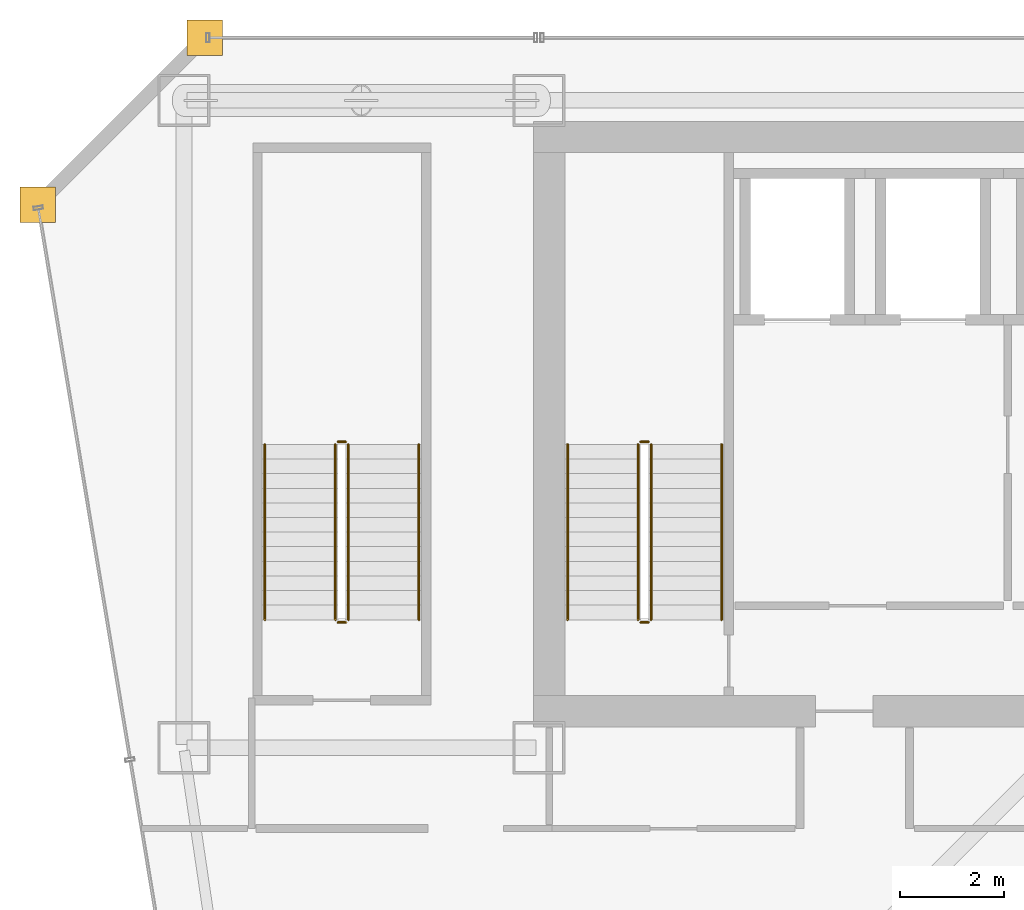
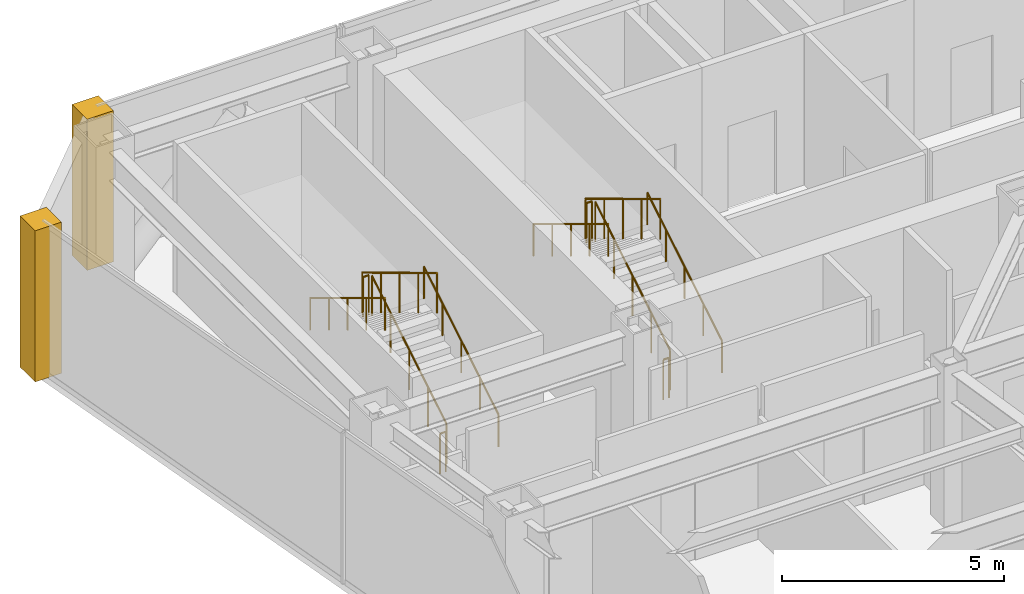
# One storey, part 36 of 37: 12 railings, 2 coverings.
"""IFC4 building model written with IfcOpenShell, lengths in metres."""

from ifc_helpers import new_model, si_unit, direction, frame, origin, origin_2d, place, context, subcontext, project, spatial, polyline, circle, outline, extrude, material, layer, layer_set, type_object, element, save


model = new_model("IFC4")

# Units and contexts
model_context = context("Model", 3, precision=1e-05, world=origin(), true_north=direction((0.0, 1.0)))
body_context = subcontext(model_context, "Body", "Model", "MODEL_VIEW")
ifc_project = project(units=[si_unit("LENGTHUNIT", "METRE"), si_unit("AREAUNIT", "SQUARE_METRE"), si_unit("VOLUMEUNIT", "CUBIC_METRE"), si_unit("PLANEANGLEUNIT", "RADIAN"), si_unit("MASSUNIT", "GRAM", prefix="KILO")], contexts=[model_context])

# Site, building, storey
site_placement = place(None, origin())
site = spatial("IfcSite", under=ifc_project, at=site_placement, CompositionType="ELEMENT")
building_placement = place(site_placement, origin())
building = spatial("IfcBuilding", under=site, at=building_placement, Name="Saevonmaru Cultural Tower", CompositionType="ELEMENT")
storey_placement = place(building_placement, frame((0.0, 0.0, 114.800048828125)))
storey = spatial("IfcBuildingStorey", under=building, at=storey_placement, Name="L24", CompositionType="ELEMENT", Elevation=114.800048828125)

# Coverings
ifc_material_1 = material(Name="Satin Bronze Anodised Aluminium", Category="aluminium")
ifc_layer = layer(ifc_material_1, 0.679931640625, Name="Satin Bronze Anodised Aluminium")
ifc_layer_set = layer_set([ifc_layer], Name="Satin Bronze Anodised Aluminium")
covering_type = type_object("IfcCoveringType", Name="CV-CORNER-CLAD", PredefinedType="CLADDING", material=ifc_layer_set)
covering_1_placement = place(storey_placement, origin())
element("IfcCovering", 1, at=covering_1_placement, inside=storey, type_object=covering_type, Name="L24 Tower Bronze Corner Cladding Pier 11", PredefinedType="CLADDING", context=body_context, shape_type="SweptSolid", body=[
    extrude(outline(polyline([(6.860107421875, 55.659912109375), (7.5400390625, 55.659912109375), (7.5400390625, 56.340087890625), (6.860107421875, 56.340087890625), (6.860107421875, 55.659912109375)])), origin(), (0.0, 0.0, 1.0), 4.14990234375),
])
covering_2_placement = place(storey_placement, origin())
element("IfcCovering", 2, at=covering_2_placement, inside=storey, type_object=covering_type, Name="L24 Tower Bronze Corner Cladding Pier 12", PredefinedType="CLADDING", context=body_context, shape_type="SweptSolid", body=[
    extrude(outline(polyline([(3.659912109375, 52.4599609375), (4.340087890625, 52.4599609375), (4.340087890625, 53.139892578125), (3.659912109375, 53.139892578125), (3.659912109375, 52.4599609375)])), origin(), (0.0, 0.0, 1.0), 4.14990234375),
])

# Railings
ifc_material_2 = material(Name="Architectural Painted Steel", Category="steel")
railing_type_1 = type_object("IfcRailingType", Name="RL-STAIR-GUARD", PredefinedType="GUARDRAIL", material=ifc_material_2)
railing_1_placement = place(storey_placement, frame((15.75, 44.85009765625, 0.169189453125)))
element("IfcRailing", 3, at=railing_1_placement, inside=storey, type_object=railing_type_1, Name="L24 ST-1 stair guard 1", PredefinedType="GUARDRAIL", context=body_context, shape_type="SweptSolid", body=[
    extrude(circle(Radius=0.02392578125, at=origin_2d()), frame((0.0, 0.0, 1.09619140625), z_axis=(0.0, 0.855820338506, 0.51727318527), x_axis=(-1.0, 0.0, 0.0)), (0.0, 0.0, 1.0), 3.92578125),
    extrude(circle(Radius=0.02099609375, at=origin_2d()), origin(), (0.0, 0.0, 1.0), 1.072021484375),
    extrude(circle(Radius=0.02099609375, at=origin_2d()), frame((0.0, 0.83984375, 0.5078125)), (0.0, 0.0, 1.0), 1.072021484375),
    extrude(circle(Radius=0.02099609375, at=origin_2d()), frame((0.0, 1.679931640625, 1.015380859375)), (0.0, 0.0, 1.0), 1.072021484375),
    extrude(circle(Radius=0.02099609375, at=origin_2d()), frame((0.0, 2.52001953125, 1.52294921875)), (0.0, 0.0, 1.0), 1.072021484375),
    extrude(circle(Radius=0.02099609375, at=origin_2d()), frame((0.0, 3.35986328125, 2.03076171875)), (0.0, 0.0, 1.0), 1.072021484375),
])
railing_2_placement = place(storey_placement, frame((15.699951171875, 48.260009765625, 2.199951171875)))
element("IfcRailing", 4, at=railing_2_placement, inside=storey, type_object=railing_type_1, Name="L24 ST-1 stair guard 2", PredefinedType="GUARDRAIL", context=body_context, shape_type="SweptSolid", body=[
    extrude(circle(Radius=0.02392578125, at=origin_2d()), frame((0.0, 0.0, 1.09619140625), z_axis=(-1.0, 0.0, 0.0), x_axis=(0.0, -1.0, 0.0)), (0.0, 0.0, 1.0), 0.14990234375),
    extrude(circle(Radius=0.02099609375, at=origin_2d()), origin(), (0.0, 0.0, 1.0), 1.072021484375),
    extrude(circle(Radius=0.02099609375, at=origin_2d()), frame((-0.14990234375, 0.0, 0.0)), (0.0, 0.0, 1.0), 1.072021484375),
])
railing_3_placement = place(storey_placement, frame((15.5, 48.2099609375, 2.369140625)))
element("IfcRailing", 5, at=railing_3_placement, inside=storey, type_object=railing_type_1, Name="L24 ST-1 stair guard 3", PredefinedType="GUARDRAIL", context=body_context, shape_type="SweptSolid", body=[
    extrude(circle(Radius=0.02392578125, at=origin_2d()), frame((0.0, 0.0, 1.09619140625), z_axis=(0.0, -0.855820338506, 0.51727318527), x_axis=(1.0, 0.0, 0.0)), (0.0, 0.0, 1.0), 3.92578125),
    extrude(circle(Radius=0.02099609375, at=origin_2d()), origin(), (0.0, 0.0, 1.0), 1.072021484375),
    extrude(circle(Radius=0.02099609375, at=origin_2d()), frame((0.0, -0.83984375, 0.5078125)), (0.0, 0.0, 1.0), 1.072021484375),
    extrude(circle(Radius=0.02099609375, at=origin_2d()), frame((0.0, -1.679931640625, 1.015380859375)), (0.0, 0.0, 1.0), 1.072021484375),
    extrude(circle(Radius=0.02099609375, at=origin_2d()), frame((0.0, -2.52001953125, 1.52294921875)), (0.0, 0.0, 1.0), 1.072021484375),
    extrude(circle(Radius=0.02099609375, at=origin_2d()), frame((0.0, -3.35986328125, 2.03076171875)), (0.0, 0.0, 1.0), 1.072021484375),
])
railing_4_placement = place(storey_placement, frame((15.699951171875, 44.800048828125, 0.0)))
element("IfcRailing", 6, at=railing_4_placement, inside=storey, type_object=railing_type_1, Name="L24 ST-1 stair guard 4", PredefinedType="GUARDRAIL", context=body_context, shape_type="SweptSolid", body=[
    extrude(circle(Radius=0.02392578125, at=origin_2d()), frame((0.0, 0.0, 1.09619140625), z_axis=(-1.0, 0.0, 0.0), x_axis=(0.0, -1.0, 0.0)), (0.0, 0.0, 1.0), 0.14990234375),
    extrude(circle(Radius=0.02099609375, at=origin_2d()), origin(), (0.0, 0.0, 1.0), 1.072021484375),
    extrude(circle(Radius=0.02099609375, at=origin_2d()), frame((-0.14990234375, 0.0, 0.0)), (0.0, 0.0, 1.0), 1.072021484375),
])
railing_5_placement = place(storey_placement, frame((9.949951171875, 44.85009765625, 0.169189453125)))
element("IfcRailing", 7, at=railing_5_placement, inside=storey, type_object=railing_type_1, Name="L24 ST-3 stair guard 1", PredefinedType="GUARDRAIL", context=body_context, shape_type="SweptSolid", body=[
    extrude(circle(Radius=0.02392578125, at=origin_2d()), frame((0.0, 0.0, 1.09619140625), z_axis=(0.0, 0.855820338506, 0.51727318527), x_axis=(-1.0, 0.0, 0.0)), (0.0, 0.0, 1.0), 3.92578125),
    extrude(circle(Radius=0.02099609375, at=origin_2d()), origin(), (0.0, 0.0, 1.0), 1.072021484375),
    extrude(circle(Radius=0.02099609375, at=origin_2d()), frame((0.0, 0.83984375, 0.5078125)), (0.0, 0.0, 1.0), 1.072021484375),
    extrude(circle(Radius=0.02099609375, at=origin_2d()), frame((0.0, 1.679931640625, 1.015380859375)), (0.0, 0.0, 1.0), 1.072021484375),
    extrude(circle(Radius=0.02099609375, at=origin_2d()), frame((0.0, 2.52001953125, 1.52294921875)), (0.0, 0.0, 1.0), 1.072021484375),
    extrude(circle(Radius=0.02099609375, at=origin_2d()), frame((0.0, 3.35986328125, 2.03076171875)), (0.0, 0.0, 1.0), 1.072021484375),
])
railing_6_placement = place(storey_placement, frame((9.89990234375, 48.260009765625, 2.199951171875)))
element("IfcRailing", 8, at=railing_6_placement, inside=storey, type_object=railing_type_1, Name="L24 ST-3 stair guard 2", PredefinedType="GUARDRAIL", context=body_context, shape_type="SweptSolid", body=[
    extrude(circle(Radius=0.02392578125, at=origin_2d()), frame((0.0, 0.0, 1.09619140625), z_axis=(-1.0, 0.0, 0.0), x_axis=(0.0, -1.0, 0.0)), (0.0, 0.0, 1.0), 0.14990234375),
    extrude(circle(Radius=0.02099609375, at=origin_2d()), origin(), (0.0, 0.0, 1.0), 1.072021484375),
    extrude(circle(Radius=0.02099609375, at=origin_2d()), frame((-0.14990234375, 0.0, 0.0)), (0.0, 0.0, 1.0), 1.072021484375),
])
railing_7_placement = place(storey_placement, frame((9.699951171875, 48.2099609375, 2.369140625)))
element("IfcRailing", 9, at=railing_7_placement, inside=storey, type_object=railing_type_1, Name="L24 ST-3 stair guard 3", PredefinedType="GUARDRAIL", context=body_context, shape_type="SweptSolid", body=[
    extrude(circle(Radius=0.02392578125, at=origin_2d()), frame((0.0, 0.0, 1.09619140625), z_axis=(0.0, -0.855820338506, 0.51727318527), x_axis=(1.0, 0.0, 0.0)), (0.0, 0.0, 1.0), 3.92578125),
    extrude(circle(Radius=0.02099609375, at=origin_2d()), origin(), (0.0, 0.0, 1.0), 1.072021484375),
    extrude(circle(Radius=0.02099609375, at=origin_2d()), frame((0.0, -0.83984375, 0.5078125)), (0.0, 0.0, 1.0), 1.072021484375),
    extrude(circle(Radius=0.02099609375, at=origin_2d()), frame((0.0, -1.679931640625, 1.015380859375)), (0.0, 0.0, 1.0), 1.072021484375),
    extrude(circle(Radius=0.02099609375, at=origin_2d()), frame((0.0, -2.52001953125, 1.52294921875)), (0.0, 0.0, 1.0), 1.072021484375),
    extrude(circle(Radius=0.02099609375, at=origin_2d()), frame((0.0, -3.35986328125, 2.03076171875)), (0.0, 0.0, 1.0), 1.072021484375),
])
railing_8_placement = place(storey_placement, frame((9.89990234375, 44.800048828125, 0.0)))
element("IfcRailing", 10, at=railing_8_placement, inside=storey, type_object=railing_type_1, Name="L24 ST-3 stair guard 4", PredefinedType="GUARDRAIL", context=body_context, shape_type="SweptSolid", body=[
    extrude(circle(Radius=0.02392578125, at=origin_2d()), frame((0.0, 0.0, 1.09619140625), z_axis=(-1.0, 0.0, 0.0), x_axis=(0.0, -1.0, 0.0)), (0.0, 0.0, 1.0), 0.14990234375),
    extrude(circle(Radius=0.02099609375, at=origin_2d()), origin(), (0.0, 0.0, 1.0), 1.072021484375),
    extrude(circle(Radius=0.02099609375, at=origin_2d()), frame((-0.14990234375, 0.0, 0.0)), (0.0, 0.0, 1.0), 1.072021484375),
])
railing_type_2 = type_object("IfcRailingType", Name="RL-STAIR-HANDRAIL", PredefinedType="HANDRAIL", material=ifc_material_1)
railing_9_placement = place(storey_placement, frame((17.10009765625, 44.85009765625, 0.169189453125)))
element("IfcRailing", 11, at=railing_9_placement, inside=storey, type_object=railing_type_2, Name="L24 ST-1 stair handrail 1", PredefinedType="HANDRAIL", context=body_context, shape_type="SweptSolid", body=[
    extrude(circle(Radius=0.02392578125, at=origin_2d()), frame((0.0, 0.0, 0.8759765625), z_axis=(0.0, 0.855820338506, 0.51727318527), x_axis=(-1.0, 0.0, 0.0)), (0.0, 0.0, 1.0), 3.92578125),
    extrude(circle(Radius=0.02099609375, at=origin_2d()), origin(), (0.0, 0.0, 1.0), 0.851806640625),
    extrude(circle(Radius=0.02099609375, at=origin_2d()), frame((0.0, 0.83984375, 0.5078125)), (0.0, 0.0, 1.0), 0.851806640625),
    extrude(circle(Radius=0.02099609375, at=origin_2d()), frame((0.0, 1.679931640625, 1.015380859375)), (0.0, 0.0, 1.0), 0.851806640625),
    extrude(circle(Radius=0.02099609375, at=origin_2d()), frame((0.0, 2.52001953125, 1.52294921875)), (0.0, 0.0, 1.0), 0.851806640625),
    extrude(circle(Radius=0.02099609375, at=origin_2d()), frame((0.0, 3.35986328125, 2.03076171875)), (0.0, 0.0, 1.0), 0.851806640625),
])
railing_10_placement = place(storey_placement, frame((14.14990234375, 48.2099609375, 2.369140625)))
element("IfcRailing", 12, at=railing_10_placement, inside=storey, type_object=railing_type_2, Name="L24 ST-1 stair handrail 2", PredefinedType="HANDRAIL", context=body_context, shape_type="SweptSolid", body=[
    extrude(circle(Radius=0.02392578125, at=origin_2d()), frame((0.0, 0.0, 0.8759765625), z_axis=(0.0, -0.855820338506, 0.51727318527), x_axis=(1.0, 0.0, 0.0)), (0.0, 0.0, 1.0), 3.92578125),
    extrude(circle(Radius=0.02099609375, at=origin_2d()), origin(), (0.0, 0.0, 1.0), 0.851806640625),
    extrude(circle(Radius=0.02099609375, at=origin_2d()), frame((0.0, -0.83984375, 0.5078125)), (0.0, 0.0, 1.0), 0.851806640625),
    extrude(circle(Radius=0.02099609375, at=origin_2d()), frame((0.0, -1.679931640625, 1.015380859375)), (0.0, 0.0, 1.0), 0.851806640625),
    extrude(circle(Radius=0.02099609375, at=origin_2d()), frame((0.0, -2.52001953125, 1.52294921875)), (0.0, 0.0, 1.0), 0.851806640625),
    extrude(circle(Radius=0.02099609375, at=origin_2d()), frame((0.0, -3.35986328125, 2.03076171875)), (0.0, 0.0, 1.0), 0.851806640625),
])
railing_11_placement = place(storey_placement, frame((11.300048828125, 44.85009765625, 0.169189453125)))
element("IfcRailing", 13, at=railing_11_placement, inside=storey, type_object=railing_type_2, Name="L24 ST-3 stair handrail 1", PredefinedType="HANDRAIL", context=body_context, shape_type="SweptSolid", body=[
    extrude(circle(Radius=0.02392578125, at=origin_2d()), frame((0.0, 0.0, 0.8759765625), z_axis=(0.0, 0.855820338506, 0.51727318527), x_axis=(-1.0, 0.0, 0.0)), (0.0, 0.0, 1.0), 3.92578125),
    extrude(circle(Radius=0.02099609375, at=origin_2d()), origin(), (0.0, 0.0, 1.0), 0.851806640625),
    extrude(circle(Radius=0.02099609375, at=origin_2d()), frame((0.0, 0.83984375, 0.5078125)), (0.0, 0.0, 1.0), 0.851806640625),
    extrude(circle(Radius=0.02099609375, at=origin_2d()), frame((0.0, 1.679931640625, 1.015380859375)), (0.0, 0.0, 1.0), 0.851806640625),
    extrude(circle(Radius=0.02099609375, at=origin_2d()), frame((0.0, 2.52001953125, 1.52294921875)), (0.0, 0.0, 1.0), 0.851806640625),
    extrude(circle(Radius=0.02099609375, at=origin_2d()), frame((0.0, 3.35986328125, 2.03076171875)), (0.0, 0.0, 1.0), 0.851806640625),
])
railing_12_placement = place(storey_placement, frame((8.35009765625, 48.2099609375, 2.369140625)))
element("IfcRailing", 14, at=railing_12_placement, inside=storey, type_object=railing_type_2, Name="L24 ST-3 stair handrail 2", PredefinedType="HANDRAIL", context=body_context, shape_type="SweptSolid", body=[
    extrude(circle(Radius=0.02392578125, at=origin_2d()), frame((0.0, 0.0, 0.8759765625), z_axis=(0.0, -0.855820338506, 0.51727318527), x_axis=(1.0, 0.0, 0.0)), (0.0, 0.0, 1.0), 3.92578125),
    extrude(circle(Radius=0.02099609375, at=origin_2d()), origin(), (0.0, 0.0, 1.0), 0.851806640625),
    extrude(circle(Radius=0.02099609375, at=origin_2d()), frame((0.0, -0.83984375, 0.5078125)), (0.0, 0.0, 1.0), 0.851806640625),
    extrude(circle(Radius=0.02099609375, at=origin_2d()), frame((0.0, -1.679931640625, 1.015380859375)), (0.0, 0.0, 1.0), 0.851806640625),
    extrude(circle(Radius=0.02099609375, at=origin_2d()), frame((0.0, -2.52001953125, 1.52294921875)), (0.0, 0.0, 1.0), 0.851806640625),
    extrude(circle(Radius=0.02099609375, at=origin_2d()), frame((0.0, -3.35986328125, 2.03076171875)), (0.0, 0.0, 1.0), 0.851806640625),
])

save(model, "model.ifc")
